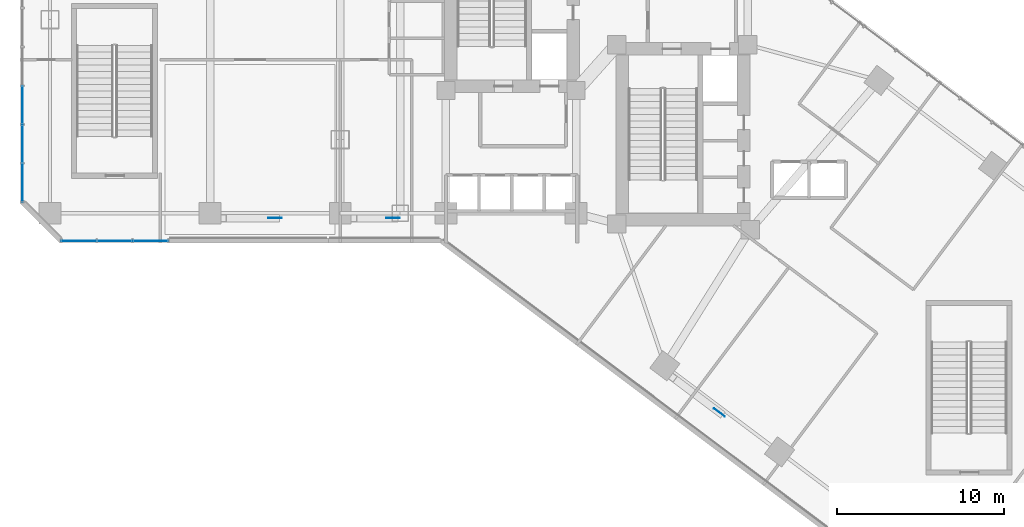
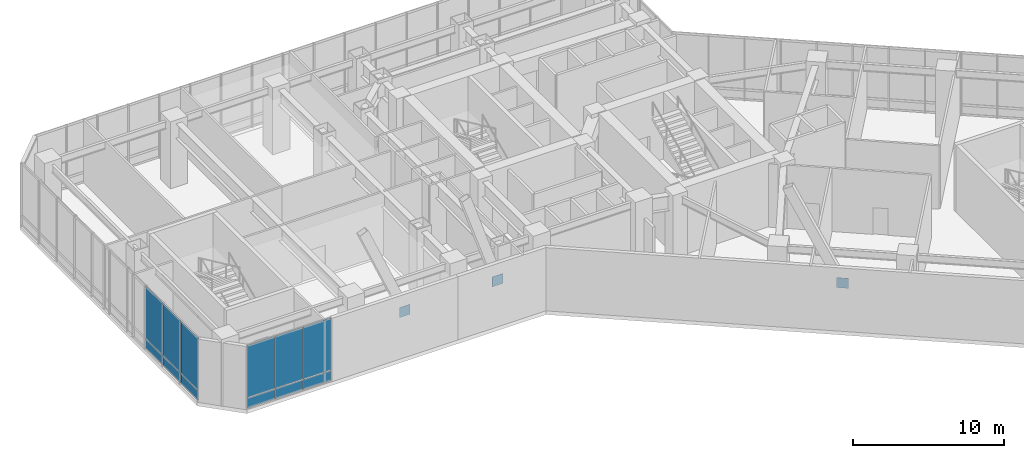
# One storey, part 24 of 35: 15 plates, 2 elements without a shape of their own.
"""IFC4 building model written with IfcOpenShell, lengths in metres."""

from ifc_helpers import new_model, si_unit, direction, frame, origin, origin_2d, place, context, subcontext, project, spatial, rectangle, extrude, material, layer, layer_set, type_object, element, aggregate, save


model = new_model("IFC4")

# Units and contexts
model_context = context("Model", 3, precision=1e-05, world=origin(), true_north=direction((0.0, 1.0)))
body_context = subcontext(model_context, "Body", "Model", "MODEL_VIEW")
ifc_project = project(units=[si_unit("LENGTHUNIT", "METRE"), si_unit("AREAUNIT", "SQUARE_METRE"), si_unit("VOLUMEUNIT", "CUBIC_METRE"), si_unit("PLANEANGLEUNIT", "RADIAN"), si_unit("MASSUNIT", "GRAM", prefix="KILO")], contexts=[model_context])

# Site, building, storey
site_placement = place(None, origin())
site = spatial("IfcSite", under=ifc_project, at=site_placement, CompositionType="ELEMENT")
building_placement = place(site_placement, origin())
building = spatial("IfcBuilding", under=site, at=building_placement, Name="Hatsunagi Terrace Concourse", CompositionType="ELEMENT")
storey_placement = place(building_placement, frame((0.0, 0.0, 10.800048828125)))
storey = spatial("IfcBuildingStorey", under=building, at=storey_placement, Name="L03", CompositionType="ELEMENT", Elevation=10.800048828125)

# Curtain wall, plates
ifc_material_1 = material(Name="Anodised Aluminium Alloy 6063-T5", Category="aluminium")
ifc_layer_1 = layer(ifc_material_1, 0.199951171875)
ifc_layer_set_1 = layer_set([ifc_layer_1], Name="PodiumStorefront_CW01")
curtain_wall_type = type_object("IfcCurtainWallType", Name="PodiumStorefront_CW01", PredefinedType="NOTDEFINED", material=ifc_layer_set_1)
curtain_wall_1_placement = place(storey_placement, origin())
curtain_wall_1 = element("IfcCurtainWall", 1, at=curtain_wall_1_placement, inside=storey, type_object=curtain_wall_type, Name="Unitised Curtain Wall CW-01 CW-L03-08", PredefinedType="NOTDEFINED")
ifc_material_2 = material(Name="Warm Terracotta Ceramic Spandrel Panel", Category="masonry")
ifc_layer_2 = layer(ifc_material_2, 0.031982421875)
ifc_layer_set_2 = layer_set([ifc_layer_2], Name="CurtainWallSpandrelPanel_32")
plate_type_1 = type_object("IfcPlateType", Name="CurtainWallSpandrelPanel_32", PredefinedType="SHEET", material=ifc_layer_set_2)
plate_1_placement = place(storey_placement, frame((7.825927734375, 23.5400390625, 0.030029296875), z_axis=(0.0, 0.0, 1.0), x_axis=(-1.0, 0.0, 0.0)))
plate_1 = element("IfcPlate", 2, at=plate_1_placement, type_object=plate_type_1, Name="Terracotta Spandrel Panel SPN-01", PredefinedType="SHEET", context=body_context, shape_type="SweptSolid", body=[
    extrude(rectangle(XDim=2.092041015625, YDim=0.031982421875, at=origin_2d()), origin(), (0.0, 0.0, 1.0), 0.7900390625),
])
plate_2_placement = place(storey_placement, frame((5.678955078125, 23.5400390625, 0.030029296875), z_axis=(0.0, 0.0, 1.0), x_axis=(-1.0, 0.0, 0.0)))
plate_2 = element("IfcPlate", 3, at=plate_2_placement, type_object=plate_type_1, Name="Terracotta Spandrel Panel SPN-01", PredefinedType="SHEET", context=body_context, shape_type="SweptSolid", body=[
    extrude(rectangle(XDim=2.092041015625, YDim=0.031982421875, at=origin_2d()), origin(), (0.0, 0.0, 1.0), 0.7900390625),
])
plate_3_placement = place(storey_placement, frame((3.531982421875, 23.5400390625, 0.030029296875), z_axis=(0.0, 0.0, 1.0), x_axis=(-1.0, 0.0, 0.0)))
plate_3 = element("IfcPlate", 4, at=plate_3_placement, type_object=plate_type_1, Name="Terracotta Spandrel Panel SPN-01", PredefinedType="SHEET", context=body_context, shape_type="SweptSolid", body=[
    extrude(rectangle(XDim=2.092041015625, YDim=0.031982421875, at=origin_2d()), origin(), (0.0, 0.0, 1.0), 0.7900390625),
])

curtain_wall_2_placement = place(storey_placement, origin())
curtain_wall_2 = element("IfcCurtainWall", 5, at=curtain_wall_2_placement, inside=storey, type_object=curtain_wall_type, Name="Unitised Curtain Wall CW-01 CW-L03-10", PredefinedType="NOTDEFINED")
plate_4_placement = place(storey_placement, frame((0.139892578125, 27.02197265625, 0.030029296875), z_axis=(0.0, 0.0, 1.0), x_axis=(0.0, 1.0, 0.0)))
plate_4 = element("IfcPlate", 6, at=plate_4_placement, type_object=plate_type_1, Name="Terracotta Spandrel Panel SPN-01", PredefinedType="SHEET", context=body_context, shape_type="SweptSolid", body=[
    extrude(rectangle(XDim=2.27294921875, YDim=0.031982421875, at=origin_2d()), origin(), (0.0, 0.0, 1.0), 0.7900390625),
])
plate_5_placement = place(storey_placement, frame((0.139892578125, 29.35107421875, 0.030029296875), z_axis=(0.0, 0.0, 1.0), x_axis=(0.0, 1.0, 0.0)))
plate_5 = element("IfcPlate", 7, at=plate_5_placement, type_object=plate_type_1, Name="Terracotta Spandrel Panel SPN-01", PredefinedType="SHEET", context=body_context, shape_type="SweptSolid", body=[
    extrude(rectangle(XDim=2.27294921875, YDim=0.031982421875, at=origin_2d()), origin(), (0.0, 0.0, 1.0), 0.7900390625),
])
plate_6_placement = place(storey_placement, frame((0.139892578125, 31.678955078125, 0.030029296875), z_axis=(0.0, 0.0, 1.0), x_axis=(0.0, 1.0, 0.0)))
plate_6 = element("IfcPlate", 8, at=plate_6_placement, type_object=plate_type_1, Name="Terracotta Spandrel Panel SPN-01", PredefinedType="SHEET", context=body_context, shape_type="SweptSolid", body=[
    extrude(rectangle(XDim=2.27294921875, YDim=0.031982421875, at=origin_2d()), origin(), (0.0, 0.0, 1.0), 0.7900390625),
])

# Plate
ifc_material_3 = material(Name="Low-E Double Insulating Glass 28mm", Category="glass")
ifc_layer_3 = layer(ifc_material_3, 0.028076171875)
ifc_layer_set_3 = layer_set([ifc_layer_3], Name="CurtainWallVisionGlass_28")
plate_type_2 = type_object("IfcPlateType", Name="CurtainWallVisionGlass_28", PredefinedType="CURTAIN_PANEL", material=ifc_layer_set_3)
plate_7_placement = place(storey_placement, frame((7.825927734375, 23.5400390625, 0.8798828125), z_axis=(0.0, 0.0, 1.0), x_axis=(-1.0, 0.0, 0.0)))
plate_7 = element("IfcPlate", 9, at=plate_7_placement, type_object=plate_type_2, Name="Low-E Vision Glass Panel GLZ-01", PredefinedType="CURTAIN_PANEL", context=body_context, shape_type="SweptSolid", body=[
    extrude(rectangle(XDim=2.092041015625, YDim=0.028076171875, at=origin_2d()), origin(), (0.0, 0.0, 1.0), 4.18994140625),
])

plate_8_placement = place(storey_placement, frame((5.678955078125, 23.5400390625, 0.8798828125), z_axis=(0.0, 0.0, 1.0), x_axis=(-1.0, 0.0, 0.0)))
plate_8 = element("IfcPlate", 10, at=plate_8_placement, type_object=plate_type_2, Name="Low-E Vision Glass Panel GLZ-01", PredefinedType="CURTAIN_PANEL", context=body_context, shape_type="SweptSolid", body=[
    extrude(rectangle(XDim=2.092041015625, YDim=0.028076171875, at=origin_2d()), origin(), (0.0, 0.0, 1.0), 4.18994140625),
])

plate_9_placement = place(storey_placement, frame((3.531982421875, 23.5400390625, 0.8798828125), z_axis=(0.0, 0.0, 1.0), x_axis=(-1.0, 0.0, 0.0)))
plate_9 = element("IfcPlate", 11, at=plate_9_placement, type_object=plate_type_2, Name="Low-E Vision Glass Panel GLZ-01", PredefinedType="CURTAIN_PANEL", context=body_context, shape_type="SweptSolid", body=[
    extrude(rectangle(XDim=2.092041015625, YDim=0.028076171875, at=origin_2d()), origin(), (0.0, 0.0, 1.0), 4.18994140625),
])

aggregate(curtain_wall_1, [plate_1, plate_7, plate_2, plate_8, plate_3, plate_9])

plate_10_placement = place(storey_placement, frame((0.139892578125, 27.02197265625, 0.8798828125), z_axis=(0.0, 0.0, 1.0), x_axis=(0.0, 1.0, 0.0)))
plate_10 = element("IfcPlate", 12, at=plate_10_placement, type_object=plate_type_2, Name="Low-E Vision Glass Panel GLZ-01", PredefinedType="CURTAIN_PANEL", context=body_context, shape_type="SweptSolid", body=[
    extrude(rectangle(XDim=2.27294921875, YDim=0.028076171875, at=origin_2d()), origin(), (0.0, 0.0, 1.0), 4.18994140625),
])

plate_11_placement = place(storey_placement, frame((0.139892578125, 29.35107421875, 0.8798828125), z_axis=(0.0, 0.0, 1.0), x_axis=(0.0, 1.0, 0.0)))
plate_11 = element("IfcPlate", 13, at=plate_11_placement, type_object=plate_type_2, Name="Low-E Vision Glass Panel GLZ-01", PredefinedType="CURTAIN_PANEL", context=body_context, shape_type="SweptSolid", body=[
    extrude(rectangle(XDim=2.27294921875, YDim=0.028076171875, at=origin_2d()), origin(), (0.0, 0.0, 1.0), 4.18994140625),
])

plate_12_placement = place(storey_placement, frame((0.139892578125, 31.678955078125, 0.8798828125), z_axis=(0.0, 0.0, 1.0), x_axis=(0.0, 1.0, 0.0)))
plate_12 = element("IfcPlate", 14, at=plate_12_placement, type_object=plate_type_2, Name="Low-E Vision Glass Panel GLZ-01", PredefinedType="CURTAIN_PANEL", context=body_context, shape_type="SweptSolid", body=[
    extrude(rectangle(XDim=2.27294921875, YDim=0.028076171875, at=origin_2d()), origin(), (0.0, 0.0, 1.0), 4.18994140625),
])

aggregate(curtain_wall_2, [plate_4, plate_10, plate_5, plate_11, plate_6, plate_12])

# Plates
ifc_material_4 = material(Name="Steel SN490C", Category="steel")
ifc_layer_4 = layer(ifc_material_4, 0.031982421875)
ifc_layer_set_4 = layer_set([ifc_layer_4], Name="XBraceNodeCapPlate_32")
plate_type_3 = type_object("IfcPlateType", Name="XBraceNodeCapPlate_32", PredefinedType="USERDEFINED", material=ifc_layer_set_4)
for number, where, z_axis, x_axis, name in (
    (15, (22.375, 24.89990234375, 2.14990234375), (0.0, 0.0, 1.0), (1.0, 0.0, 0.0), "X-Brace Crossing Gusset Node Plate GP-02 XB-L02-W1"),
    (16, (15.300048828125, 24.89990234375, 2.14990234375), (0.0, 0.0, 1.0), (1.0, 0.0, 0.0), "X-Brace Crossing Gusset Node Plate GP-02 XB-L02-W2"),
    (17, (41.951904296875, 13.236083984375, 2.14990234375), (0.0, 0.0, 1.0), (0.799999996291, -0.600000004945, 0.0), "X-Brace Crossing Gusset Node Plate GP-02 XB-L02-SE"),
):
    element("IfcPlate", number, at=place(storey_placement, frame(where, z_axis=z_axis, x_axis=x_axis)), inside=storey, type_object=plate_type_3, Name=name, ObjectType="GUSSET_PLATE", PredefinedType="USERDEFINED", context=body_context, shape_type="SweptSolid", body=[
        extrude(rectangle(XDim=0.800048828125, YDim=0.031982421875, at=origin_2d()), origin(), (0.0, 0.0, 1.0), 0.800048828125),
    ])

save(model, "model.ifc")
